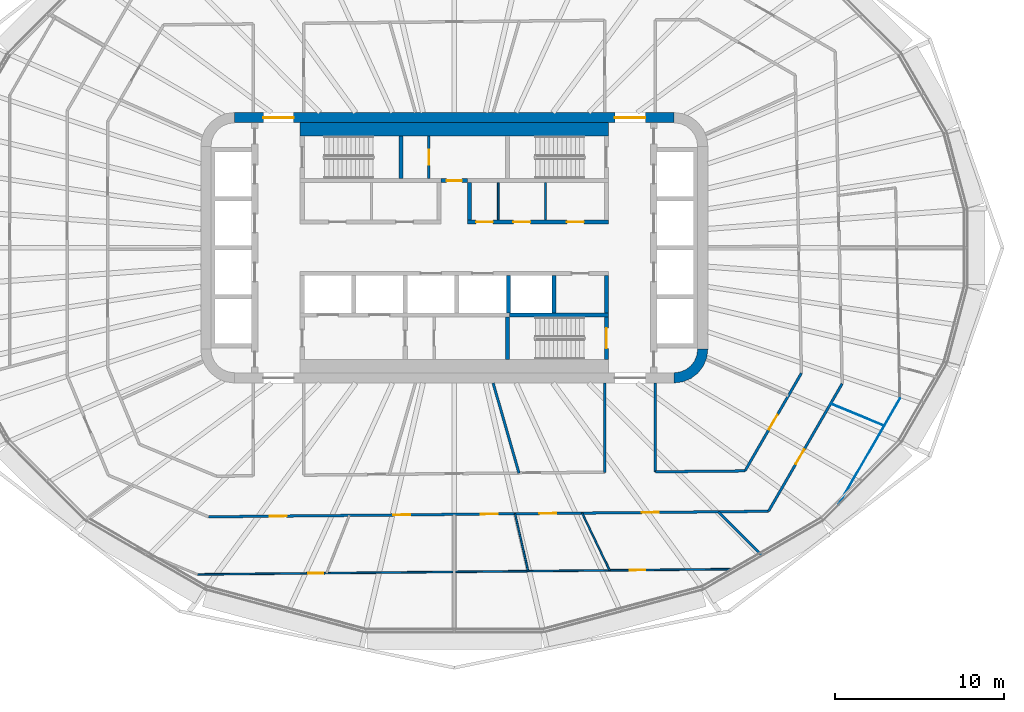
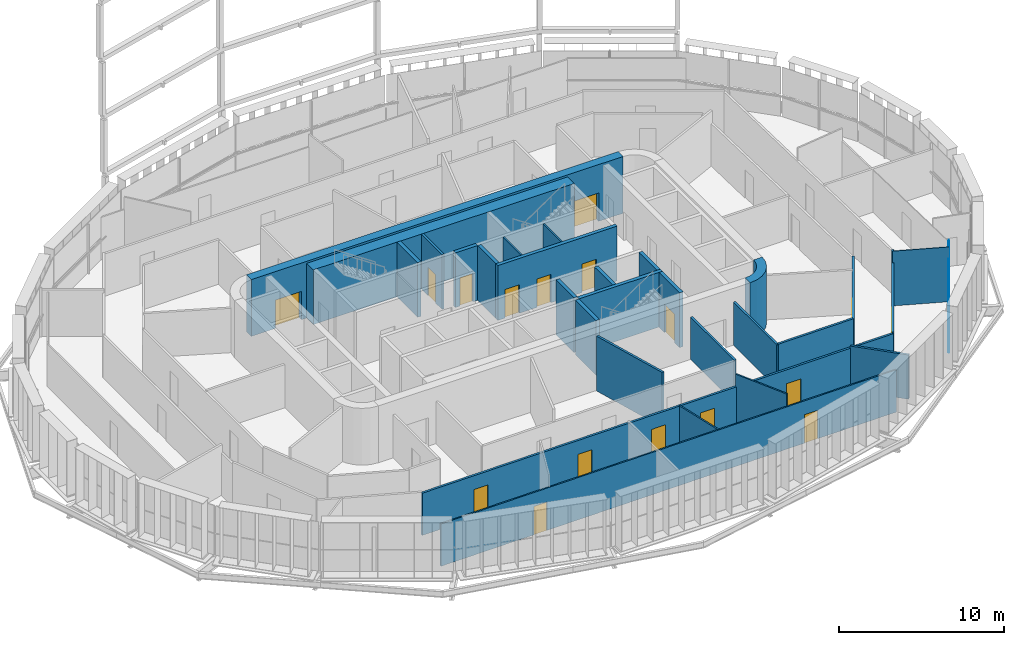
# One storey, part 12 of 22: 29 walls, 17 doors, 17 openings.
"""IFC4 building model written with IfcOpenShell, lengths in metres."""

from ifc_helpers import new_model, si_unit, direction, frame, frame_2d, origin, place, context, subcontext, project, spatial, polyline, rectangle, outline, extrude, material, layer, layer_set, type_object, element, fill, save


model = new_model("IFC4")

# Units and contexts
model_context = context("Model", 3, precision=1e-05, world=origin(), true_north=direction((0.0, 1.0)))
body_context = subcontext(model_context, "Body", "Model", "MODEL_VIEW")
ifc_project = project(units=[si_unit("LENGTHUNIT", "METRE"), si_unit("AREAUNIT", "SQUARE_METRE"), si_unit("VOLUMEUNIT", "CUBIC_METRE"), si_unit("PLANEANGLEUNIT", "RADIAN"), si_unit("MASSUNIT", "GRAM", prefix="KILO")], contexts=[model_context])

# Site, building, storey
site_placement = place(None, origin())
site = spatial("IfcSite", under=ifc_project, at=site_placement, CompositionType="ELEMENT")
building_placement = place(site_placement, origin())
building = spatial("IfcBuilding", under=site, at=building_placement, Name="Sahrelin Media Tower", CompositionType="ELEMENT")
storey_placement = place(building_placement, frame((0.0, 0.0, 50.39990234375)))
storey = spatial("IfcBuildingStorey", under=building, at=storey_placement, Name="L07", CompositionType="ELEMENT", Elevation=50.39990234375)

# Wall, openings, doors
ifc_material_1 = material(Name="Concrete C60/75", Category="concrete")
ifc_layer_1 = layer(ifc_material_1, 0.60009765625)
ifc_layer_set_1 = layer_set([ifc_layer_1], Name="Core wall 600")
wall_type_1 = type_object("IfcWallType", Name="Core wall 600", PredefinedType="SHEAR", material=ifc_layer_set_1)
wall_1_placement = place(storey_placement, frame((-13.0, 7.699951171875, 0.0), z_axis=(0.0, 0.0, 1.0), x_axis=(1.0, 0.0, 0.0)))
wall_1 = element("IfcWall", 1, at=wall_1_placement, inside=storey, type_object=wall_type_1, Name="Core wall N L07", PredefinedType="SHEAR", context=body_context, shape_type="SweptSolid", body=[
    extrude(rectangle(XDim=26.0, YDim=0.60009765625, at=frame_2d((13.0, 0.0))), origin(), (0.0, 0.0, 1.0), 4.2001953125),
])
opening_1_placement = place(wall_1_placement, frame((1.699951171875, 0.0, 0.0)))
opening_1 = element("IfcOpeningElement", 2, at=opening_1_placement, cuts=wall_1, Name="Opening L07-D19", PredefinedType="OPENING", context=body_context, shape_type="SweptSolid", body=[
    extrude(rectangle(XDim=1.800048828125, YDim=2.10009765625, at=frame_2d((0.89990234375, 1.050048828125))), frame((0.0, 0.300048828125, 0.0), z_axis=(0.0, -1.0, 0.0), x_axis=(1.0, 0.0, 0.0)), (0.0, 0.0, 1.0), 0.60009765625),
])
opening_2_placement = place(wall_1_placement, frame((22.5, 0.0, 0.0)))
opening_2 = element("IfcOpeningElement", 3, at=opening_2_placement, cuts=wall_1, Name="Opening L07-D20", PredefinedType="OPENING", context=body_context, shape_type="SweptSolid", body=[
    extrude(rectangle(XDim=1.800048828125, YDim=2.10009765625, at=frame_2d((0.89990234375, 1.050048828125))), frame((0.0, 0.300048828125, 0.0), z_axis=(0.0, -1.0, 0.0), x_axis=(1.0, 0.0, 0.0)), (0.0, 0.0, 1.0), 0.60009765625),
])
ifc_material_2 = material(Name="Steel fire door leaf", Category="steel")
door_type_1 = type_object("IfcDoorType", Name="Lobby double door 1800 x 2100 EI 60", OperationType="DOUBLE_DOOR_SINGLE_SWING", PredefinedType="DOOR", material=ifc_material_2)
door_1_placement = place(opening_1_placement, origin())
door_1 = element("IfcDoor", 4, at=door_1_placement, inside=storey, type_object=door_type_1, Name="Lobby door", OperationType="DOUBLE_DOOR_SINGLE_SWING", OverallHeight=2.10009765625, OverallWidth=1.800048828125, PredefinedType="DOOR", context=body_context, shape_type="SweptSolid", body=[
    extrude(rectangle(XDim=1.800048828125, YDim=2.10009765625, at=frame_2d((0.89990234375, 1.050048828125))), frame((0.0, 0.02490234375, 0.0), z_axis=(0.0, -1.0, 0.0), x_axis=(1.0, 0.0, 0.0)), (0.0, 0.0, 1.0), 0.050048828125),
])
fill(opening_1, door_1)
door_2_placement = place(opening_2_placement, origin())
door_2 = element("IfcDoor", 5, at=door_2_placement, inside=storey, type_object=door_type_1, Name="Lobby door", OperationType="DOUBLE_DOOR_SINGLE_SWING", OverallHeight=2.10009765625, OverallWidth=1.800048828125, PredefinedType="DOOR", context=body_context, shape_type="SweptSolid", body=[
    extrude(rectangle(XDim=1.800048828125, YDim=2.10009765625, at=frame_2d((0.89990234375, 1.050048828125))), frame((0.0, 0.02490234375, 0.0), z_axis=(0.0, -1.0, 0.0), x_axis=(1.0, 0.0, 0.0)), (0.0, 0.0, 1.0), 0.050048828125),
])
fill(opening_2, door_2)

# Wall
wall_2_placement = place(storey_placement, origin())
element("IfcWall", 6, at=wall_2_placement, inside=storey, type_object=wall_type_1, Name="Core wall corner SE L07", PredefinedType="SHEAR", context=body_context, shape_type="SweptSolid", body=[
    extrude(outline(polyline([(15.0, -6.0), (14.394775390625, -6.0), (14.347412109375, -6.361083984375), (14.2080078125, -6.697509765625), (13.986328125, -6.986328125), (13.697509765625, -7.2080078125), (13.361083984375, -7.347412109375), (13.0, -7.394775390625), (13.0, -8.0), (13.517578125, -7.931884765625), (14.0, -7.732177734375), (14.414306640625, -7.414306640625), (14.732177734375, -7.0), (14.931884765625, -6.517578125), (15.0, -6.0)])), origin(), (0.0, 0.0, 1.0), 4.2001953125),
])

# Wall, opening, door
ifc_material_3 = material(Name="Fire-rated gypsum board partition")
ifc_layer_2 = layer(ifc_material_3, 0.25)
ifc_layer_set_2 = layer_set([ifc_layer_2], Name="Fire-rated lobby wall 250")
wall_type_2 = type_object("IfcWallType", Name="Fire-rated lobby wall 250", PredefinedType="PARTITIONING", material=ifc_layer_set_2)
wall_3_placement = place(storey_placement, frame((-0.77490234375, 3.97509765625, 0.0), z_axis=(0.0, 0.0, 1.0), x_axis=(1.0, 0.0, 0.0)))
wall_3 = element("IfcWall", 7, at=wall_3_placement, inside=storey, type_object=wall_type_2, Name="Core lobby wall", PredefinedType="PARTITIONING", context=body_context, shape_type="SweptSolid", body=[
    extrude(rectangle(XDim=1.5498046875, YDim=0.25, at=frame_2d((0.77490234375, 0.0))), origin(), (0.0, 0.0, 1.0), 4.050048828125),
])
opening_3_placement = place(wall_3_placement, frame((0.324951171875, 0.0, 0.0)))
opening_3 = element("IfcOpeningElement", 8, at=opening_3_placement, cuts=wall_3, Name="Opening L07-D06", PredefinedType="OPENING", context=body_context, shape_type="SweptSolid", body=[
    extrude(rectangle(XDim=0.89990234375, YDim=2.10009765625, at=frame_2d((0.449951171875, 1.050048828125))), frame((0.0, 0.125, 0.0), z_axis=(0.0, -1.0, 0.0), x_axis=(1.0, 0.0, 0.0)), (0.0, 0.0, 1.0), 0.25),
])
door_type_2 = type_object("IfcDoorType", Name="Riser door 900 x 2100 EI 120", OperationType="NOTDEFINED", PredefinedType="DOOR", material=ifc_material_2)
door_3_placement = place(opening_3_placement, origin())
door_3 = element("IfcDoor", 9, at=door_3_placement, inside=storey, type_object=door_type_2, Name="Core room door", OperationType="SINGLE_SWING_LEFT", OverallHeight=2.10009765625, OverallWidth=0.89990234375, PredefinedType="DOOR", context=body_context, shape_type="SweptSolid", body=[
    extrude(rectangle(XDim=0.89990234375, YDim=2.10009765625, at=frame_2d((0.449951171875, 1.050048828125))), frame((0.0, 0.02490234375, 0.0), z_axis=(0.0, -1.0, 0.0), x_axis=(1.0, 0.0, 0.0)), (0.0, 0.0, 1.0), 0.050048828125),
])
fill(opening_3, door_3)

# Wall, openings, doors
wall_4_placement = place(storey_placement, frame((0.77490234375, 1.52490234375, 0.0), z_axis=(0.0, 0.0, 1.0), x_axis=(1.0, 0.0, 0.0)))
wall_4 = element("IfcWall", 10, at=wall_4_placement, inside=storey, type_object=wall_type_2, Name="Core lobby wall", PredefinedType="PARTITIONING", context=body_context, shape_type="SweptSolid", body=[
    extrude(rectangle(XDim=8.35009765625, YDim=0.25, at=frame_2d((4.175048828125, 0.0))), origin(), (0.0, 0.0, 1.0), 4.050048828125),
])
opening_4_placement = place(wall_4_placement, frame((0.512451171875, 0.0, 0.0)))
opening_4 = element("IfcOpeningElement", 11, at=opening_4_placement, cuts=wall_4, Name="Opening L07-D11", PredefinedType="OPENING", context=body_context, shape_type="SweptSolid", body=[
    extrude(rectangle(XDim=1.0, YDim=2.10009765625, at=frame_2d((0.5, 1.050048828125))), frame((0.0, 0.125, 0.0), z_axis=(0.0, -1.0, 0.0), x_axis=(1.0, 0.0, 0.0)), (0.0, 0.0, 1.0), 0.25),
])
opening_5_placement = place(wall_4_placement, frame((2.72509765625, 0.0, 0.0)))
opening_5 = element("IfcOpeningElement", 12, at=opening_5_placement, cuts=wall_4, Name="Opening L07-D12", PredefinedType="OPENING", context=body_context, shape_type="SweptSolid", body=[
    extrude(rectangle(XDim=1.0, YDim=2.10009765625, at=frame_2d((0.5, 1.050048828125))), frame((0.0, 0.125, 0.0), z_axis=(0.0, -1.0, 0.0), x_axis=(1.0, 0.0, 0.0)), (0.0, 0.0, 1.0), 0.25),
])
opening_6_placement = place(wall_4_placement, frame((5.887451171875, 0.0, 0.0)))
opening_6 = element("IfcOpeningElement", 13, at=opening_6_placement, cuts=wall_4, Name="Opening L07-D13", PredefinedType="OPENING", context=body_context, shape_type="SweptSolid", body=[
    extrude(rectangle(XDim=1.0, YDim=2.10009765625, at=frame_2d((0.5, 1.050048828125))), frame((0.0, 0.125, 0.0), z_axis=(0.0, -1.0, 0.0), x_axis=(1.0, 0.0, 0.0)), (0.0, 0.0, 1.0), 0.25),
])
door_type_3 = type_object("IfcDoorType", Name="Fire door 1000 x 2100 EI 60", OperationType="NOTDEFINED", PredefinedType="DOOR", material=ifc_material_2)
door_4_placement = place(opening_4_placement, origin())
door_4 = element("IfcDoor", 14, at=door_4_placement, inside=storey, type_object=door_type_3, Name="Core room door", OperationType="SINGLE_SWING_LEFT", OverallHeight=2.10009765625, OverallWidth=1.0, PredefinedType="DOOR", context=body_context, shape_type="SweptSolid", body=[
    extrude(rectangle(XDim=1.0, YDim=2.10009765625, at=frame_2d((0.5, 1.050048828125))), frame((0.0, 0.02490234375, 0.0), z_axis=(0.0, -1.0, 0.0), x_axis=(1.0, 0.0, 0.0)), (0.0, 0.0, 1.0), 0.050048828125),
])
fill(opening_4, door_4)
door_5_placement = place(opening_5_placement, origin())
door_5 = element("IfcDoor", 15, at=door_5_placement, inside=storey, type_object=door_type_3, Name="Core room door", OperationType="SINGLE_SWING_LEFT", OverallHeight=2.10009765625, OverallWidth=1.0, PredefinedType="DOOR", context=body_context, shape_type="SweptSolid", body=[
    extrude(rectangle(XDim=1.0, YDim=2.10009765625, at=frame_2d((0.5, 1.050048828125))), frame((0.0, 0.02490234375, 0.0), z_axis=(0.0, -1.0, 0.0), x_axis=(1.0, 0.0, 0.0)), (0.0, 0.0, 1.0), 0.050048828125),
])
fill(opening_5, door_5)
door_6_placement = place(opening_6_placement, origin())
door_6 = element("IfcDoor", 16, at=door_6_placement, inside=storey, type_object=door_type_3, Name="Core room door", OperationType="SINGLE_SWING_LEFT", OverallHeight=2.10009765625, OverallWidth=1.0, PredefinedType="DOOR", context=body_context, shape_type="SweptSolid", body=[
    extrude(rectangle(XDim=1.0, YDim=2.10009765625, at=frame_2d((0.5, 1.050048828125))), frame((0.0, 0.02490234375, 0.0), z_axis=(0.0, -1.0, 0.0), x_axis=(1.0, 0.0, 0.0)), (0.0, 0.0, 1.0), 0.050048828125),
])
fill(opening_6, door_6)

# Walls
wall_5_placement = place(storey_placement, frame((0.89990234375, 1.64990234375, 0.0), z_axis=(0.0, 0.0, 1.0), x_axis=(0.0, 1.0, 0.0)))
element("IfcWall", 17, at=wall_5_placement, inside=storey, type_object=wall_type_2, Name="Core lobby wall", PredefinedType="PARTITIONING", context=body_context, shape_type="SweptSolid", body=[
    extrude(rectangle(XDim=2.2001953125, YDim=0.25, at=frame_2d((1.10009765625, 0.0))), origin(), (0.0, 0.0, 1.0), 4.050048828125),
])
ifc_layer_3 = layer(ifc_material_3, 0.10009765625)
ifc_layer_set_3 = layer_set([ifc_layer_3], Name="Fire-rated partition 100")
wall_type_3 = type_object("IfcWallType", Name="Fire-rated partition 100", PredefinedType="PARTITIONING", material=ifc_layer_set_3)
for number, where, z_axis, x_axis, name in (
    (18, (2.60009765625, 1.64990234375, 0.0), (0.0, 0.0, 1.0), (0.0, 1.0, 0.0), "Core room partition"),
    (19, (5.39990234375, 1.64990234375, 0.0), (0.0, 0.0, 1.0), (0.0, 1.0, 0.0), "Core room partition"),
):
    element("IfcWall", number, at=place(storey_placement, frame(where, z_axis=z_axis, x_axis=x_axis)), inside=storey, type_object=wall_type_3, Name=name, PredefinedType="PARTITIONING", context=body_context, shape_type="SweptSolid", body=[
        extrude(rectangle(XDim=2.2001953125, YDim=0.10009765625, at=frame_2d((1.10009765625, 0.0))), origin(), (0.0, 0.0, 1.0), 4.050048828125),
    ])

# Wall, opening, door
ifc_layer_4 = layer(ifc_material_3, 0.14990234375)
ifc_layer_set_4 = layer_set([ifc_layer_4], Name="Fire-rated partition 150")
wall_type_4 = type_object("IfcWallType", Name="Fire-rated partition 150", PredefinedType="PARTITIONING", material=ifc_layer_set_4)
wall_6_placement = place(storey_placement, frame((-1.5, 4.10009765625, 0.0), z_axis=(0.0, 0.0, 1.0), x_axis=(0.0, 1.0, 0.0)))
wall_6 = element("IfcWall", 20, at=wall_6_placement, inside=storey, type_object=wall_type_4, Name="Core room fire partition", PredefinedType="PARTITIONING", context=body_context, shape_type="SweptSolid", body=[
    extrude(rectangle(XDim=2.5, YDim=0.14990234375, at=frame_2d((1.25, 0.0))), origin(), (0.0, 0.0, 1.0), 4.050048828125),
])
opening_7_placement = place(wall_6_placement, frame((0.800048828125, 0.0, 0.0)))
opening_7 = element("IfcOpeningElement", 21, at=opening_7_placement, cuts=wall_6, Name="Opening L07-D07", PredefinedType="OPENING", context=body_context, shape_type="SweptSolid", body=[
    extrude(rectangle(XDim=0.89990234375, YDim=2.10009765625, at=frame_2d((0.449951171875, 1.050048828125))), frame((0.0, 0.074951171875, 0.0), z_axis=(0.0, -1.0, 0.0), x_axis=(1.0, 0.0, 0.0)), (0.0, 0.0, 1.0), 0.14990234375),
])
door_type_4 = type_object("IfcDoorType", Name="Fire door 900 x 2100 EI 60", OperationType="NOTDEFINED", PredefinedType="DOOR", material=ifc_material_2)
door_7_placement = place(opening_7_placement, origin())
door_7 = element("IfcDoor", 22, at=door_7_placement, inside=storey, type_object=door_type_4, Name="Core room door", OperationType="SINGLE_SWING_LEFT", OverallHeight=2.10009765625, OverallWidth=0.89990234375, PredefinedType="DOOR", context=body_context, shape_type="SweptSolid", body=[
    extrude(rectangle(XDim=0.89990234375, YDim=2.10009765625, at=frame_2d((0.449951171875, 1.050048828125))), frame((0.0, 0.02490234375, 0.0), z_axis=(0.0, -1.0, 0.0), x_axis=(1.0, 0.0, 0.0)), (0.0, 0.0, 1.0), 0.050048828125),
])
fill(opening_7, door_7)

# Walls
wall_7_placement = place(storey_placement, frame((2.2958984375, -8.0, 0.0), z_axis=(0.0, 0.0, 1.0), x_axis=(0.275935525478, -0.961176147113, 0.0)))
element("IfcWall", 23, at=wall_7_placement, inside=storey, type_object=wall_type_4, Name="Wall", PredefinedType="PARTITIONING", context=body_context, shape_type="SweptSolid", body=[
    extrude(rectangle(XDim=5.54833984375, YDim=0.14990234375, at=frame_2d((2.774169921875, 0.0))), origin(), (0.0, 0.0, 1.0), 4.050048828125),
])
wall_8_placement = place(storey_placement, frame((15.616943359375, -15.616943359375, 0.0), z_axis=(0.0, 0.0, 1.0), x_axis=(0.707106781187, -0.707106781187, 0.0)))
element("IfcWall", 24, at=wall_8_placement, inside=storey, type_object=wall_type_4, Name="Wall", PredefinedType="PARTITIONING", context=body_context, shape_type="SweptSolid", body=[
    extrude(rectangle(XDim=3.6669921875, YDim=0.14990234375, at=frame_2d((1.83349609375, 0.0))), origin(), (0.0, 0.0, 1.0), 3.276123046875),
])

# Wall, openings, doors
wall_9_placement = place(storey_placement, frame((-14.533935546875, -15.916015625, 0.0), z_axis=(0.0, 0.0, 1.0), x_axis=(0.99995085722, 0.009913785652, 0.0)))
wall_9 = element("IfcWall", 25, at=wall_9_placement, inside=storey, type_object=wall_type_4, Name="Wall", PredefinedType="PARTITIONING", context=body_context, shape_type="SweptSolid", body=[
    extrude(rectangle(XDim=33.12255859375, YDim=0.14990234375, at=frame_2d((16.561279296875, 0.0))), origin(), (0.0, 0.0, 1.0), 3.127197265625),
])
opening_8_placement = place(wall_9_placement, frame((3.61083984375, 0.0, 0.0)))
opening_8 = element("IfcOpeningElement", 26, at=opening_8_placement, cuts=wall_9, Name="Opening L07-D49", PredefinedType="OPENING", context=body_context, shape_type="SweptSolid", body=[
    extrude(rectangle(XDim=1.0, YDim=2.10009765625, at=frame_2d((0.5, 1.050048828125))), frame((0.0, 0.074951171875, 0.0), z_axis=(0.0, -1.0, 0.0), x_axis=(1.0, 0.0, 0.0)), (0.0, 0.0, 1.0), 0.14990234375),
])
opening_9_placement = place(wall_9_placement, frame((10.926513671875, 0.0, 0.0)))
opening_9 = element("IfcOpeningElement", 27, at=opening_9_placement, cuts=wall_9, Name="Opening L07-D50", PredefinedType="OPENING", context=body_context, shape_type="SweptSolid", body=[
    extrude(rectangle(XDim=1.0, YDim=2.10009765625, at=frame_2d((0.5, 1.050048828125))), frame((0.0, 0.074951171875, 0.0), z_axis=(0.0, -1.0, 0.0), x_axis=(1.0, 0.0, 0.0)), (0.0, 0.0, 1.0), 0.14990234375),
])
opening_10_placement = place(wall_9_placement, frame((16.1103515625, 0.0, 0.0)))
opening_10 = element("IfcOpeningElement", 28, at=opening_10_placement, cuts=wall_9, Name="Opening L07-D52", PredefinedType="OPENING", context=body_context, shape_type="SweptSolid", body=[
    extrude(rectangle(XDim=1.0, YDim=2.10009765625, at=frame_2d((0.5, 1.050048828125))), frame((0.0, 0.074951171875, 0.0), z_axis=(0.0, -1.0, 0.0), x_axis=(1.0, 0.0, 0.0)), (0.0, 0.0, 1.0), 0.14990234375),
])
opening_11_placement = place(wall_9_placement, frame((19.559814453125, 0.0, 0.0)))
opening_11 = element("IfcOpeningElement", 29, at=opening_11_placement, cuts=wall_9, Name="Opening L07-D53", PredefinedType="OPENING", context=body_context, shape_type="SweptSolid", body=[
    extrude(rectangle(XDim=1.0, YDim=2.10009765625, at=frame_2d((0.5, 1.050048828125))), frame((0.0, 0.074951171875, 0.0), z_axis=(0.0, -1.0, 0.0), x_axis=(1.0, 0.0, 0.0)), (0.0, 0.0, 1.0), 0.14990234375),
])
opening_12_placement = place(wall_9_placement, frame((25.623046875, 0.0, 0.0)))
opening_12 = element("IfcOpeningElement", 30, at=opening_12_placement, cuts=wall_9, Name="Opening L07-D54", PredefinedType="OPENING", context=body_context, shape_type="SweptSolid", body=[
    extrude(rectangle(XDim=1.0, YDim=2.10009765625, at=frame_2d((0.5, 1.050048828125))), frame((0.0, 0.074951171875, 0.0), z_axis=(0.0, -1.0, 0.0), x_axis=(1.0, 0.0, 0.0)), (0.0, 0.0, 1.0), 0.14990234375),
])
door_8_placement = place(opening_8_placement, origin())
door_8 = element("IfcDoor", 31, at=door_8_placement, inside=storey, type_object=door_type_3, Name="Fire door", OperationType="SINGLE_SWING_LEFT", OverallHeight=2.10009765625, OverallWidth=1.0, PredefinedType="DOOR", context=body_context, shape_type="SweptSolid", body=[
    extrude(rectangle(XDim=1.0, YDim=2.10009765625, at=frame_2d((0.5, 1.050048828125))), frame((0.0, 0.02490234375, 0.0), z_axis=(0.0, -1.0, 0.0), x_axis=(1.0, 0.0, 0.0)), (0.0, 0.0, 1.0), 0.050048828125),
])
fill(opening_8, door_8)
door_9_placement = place(opening_9_placement, origin())
door_9 = element("IfcDoor", 32, at=door_9_placement, inside=storey, type_object=door_type_3, Name="Fire door", OperationType="SINGLE_SWING_RIGHT", OverallHeight=2.10009765625, OverallWidth=1.0, PredefinedType="DOOR", context=body_context, shape_type="SweptSolid", body=[
    extrude(rectangle(XDim=1.0, YDim=2.10009765625, at=frame_2d((0.5, 1.050048828125))), frame((0.0, 0.02490234375, 0.0), z_axis=(0.0, -1.0, 0.0), x_axis=(1.0, 0.0, 0.0)), (0.0, 0.0, 1.0), 0.050048828125),
])
fill(opening_9, door_9)
door_10_placement = place(opening_10_placement, origin())
door_10 = element("IfcDoor", 33, at=door_10_placement, inside=storey, type_object=door_type_3, Name="Fire door", OperationType="SINGLE_SWING_LEFT", OverallHeight=2.10009765625, OverallWidth=1.0, PredefinedType="DOOR", context=body_context, shape_type="SweptSolid", body=[
    extrude(rectangle(XDim=1.0, YDim=2.10009765625, at=frame_2d((0.5, 1.050048828125))), frame((0.0, 0.02490234375, 0.0), z_axis=(0.0, -1.0, 0.0), x_axis=(1.0, 0.0, 0.0)), (0.0, 0.0, 1.0), 0.050048828125),
])
fill(opening_10, door_10)
door_11_placement = place(opening_11_placement, origin())
door_11 = element("IfcDoor", 34, at=door_11_placement, inside=storey, type_object=door_type_3, Name="Fire door", OperationType="SINGLE_SWING_LEFT", OverallHeight=2.10009765625, OverallWidth=1.0, PredefinedType="DOOR", context=body_context, shape_type="SweptSolid", body=[
    extrude(rectangle(XDim=1.0, YDim=2.10009765625, at=frame_2d((0.5, 1.050048828125))), frame((0.0, 0.02490234375, 0.0), z_axis=(0.0, -1.0, 0.0), x_axis=(1.0, 0.0, 0.0)), (0.0, 0.0, 1.0), 0.050048828125),
])
fill(opening_11, door_11)
door_12_placement = place(opening_12_placement, origin())
door_12 = element("IfcDoor", 35, at=door_12_placement, inside=storey, type_object=door_type_3, Name="Fire door", OperationType="SINGLE_SWING_RIGHT", OverallHeight=2.10009765625, OverallWidth=1.0, PredefinedType="DOOR", context=body_context, shape_type="SweptSolid", body=[
    extrude(rectangle(XDim=1.0, YDim=2.10009765625, at=frame_2d((0.5, 1.050048828125))), frame((0.0, 0.02490234375, 0.0), z_axis=(0.0, -1.0, 0.0), x_axis=(1.0, 0.0, 0.0)), (0.0, 0.0, 1.0), 0.050048828125),
])
fill(opening_12, door_12)

# Wall
wall_10_placement = place(storey_placement, frame((11.89990234375, -13.2529296875, 0.0), z_axis=(0.0, 0.0, 1.0), x_axis=(0.999950853109, 0.009914200296, 0.0)))
element("IfcWall", 36, at=wall_10_placement, inside=storey, type_object=wall_type_4, Name="Wall", PredefinedType="PARTITIONING", context=body_context, shape_type="SweptSolid", body=[
    extrude(rectangle(XDim=5.29443359375, YDim=0.14990234375, at=frame_2d((2.647216796875, 0.0))), origin(), (0.0, 0.0, 1.0), 3.276123046875),
])

# Wall, opening, door
wall_11_placement = place(storey_placement, frame((18.5869140625, -15.5869140625, 0.0), z_axis=(0.0, 0.0, 1.0), x_axis=(0.500026433136, 0.866010142069, 0.0)))
wall_11 = element("IfcWall", 37, at=wall_11_placement, inside=storey, type_object=wall_type_4, Name="Wall", PredefinedType="PARTITIONING", context=body_context, shape_type="SweptSolid", body=[
    extrude(rectangle(XDim=8.71337890625, YDim=0.14990234375, at=frame_2d((4.356689453125, 0.0))), origin(), (0.0, 0.0, 1.0), 3.1953125),
])
opening_13_placement = place(wall_11_placement, frame((3.22607421875, 0.0, 0.0)))
opening_13 = element("IfcOpeningElement", 38, at=opening_13_placement, cuts=wall_11, Name="Opening L07-D56", PredefinedType="OPENING", context=body_context, shape_type="SweptSolid", body=[
    extrude(rectangle(XDim=1.0, YDim=2.10009765625, at=frame_2d((0.5, 1.050048828125))), frame((0.0, 0.074951171875, 0.0), z_axis=(0.0, -1.0, 0.0), x_axis=(1.0, 0.0, 0.0)), (0.0, 0.0, 1.0), 0.14990234375),
])
door_13_placement = place(opening_13_placement, origin())
door_13 = element("IfcDoor", 39, at=door_13_placement, inside=storey, type_object=door_type_3, Name="Fire door", OperationType="SINGLE_SWING_RIGHT", OverallHeight=2.10009765625, OverallWidth=1.0, PredefinedType="DOOR", context=body_context, shape_type="SweptSolid", body=[
    extrude(rectangle(XDim=1.0, YDim=2.10009765625, at=frame_2d((0.5, 1.050048828125))), frame((0.0, 0.02490234375, 0.0), z_axis=(0.0, -1.0, 0.0), x_axis=(1.0, 0.0, 0.0)), (0.0, 0.0, 1.0), 0.050048828125),
])
fill(opening_13, door_13)

wall_12_placement = place(storey_placement, frame((17.194091796875, -13.200927734375, 0.0), z_axis=(0.0, 0.0, 1.0), x_axis=(0.50001062018, 0.866019272134, 0.0)))
wall_12 = element("IfcWall", 40, at=wall_12_placement, inside=storey, type_object=wall_type_4, Name="Wall", PredefinedType="PARTITIONING", context=body_context, shape_type="SweptSolid", body=[
    extrude(rectangle(XDim=6.673583984375, YDim=0.14990234375, at=frame_2d((3.3369140625, 0.0))), origin(), (0.0, 0.0, 1.0), 3.1953125),
])
opening_14_placement = place(wall_12_placement, frame((2.83349609375, 0.0, 0.0)))
opening_14 = element("IfcOpeningElement", 41, at=opening_14_placement, cuts=wall_12, Name="Opening L07-D26", PredefinedType="OPENING", context=body_context, shape_type="SweptSolid", body=[
    extrude(rectangle(XDim=1.0, YDim=2.10009765625, at=frame_2d((0.5, 1.050048828125))), frame((0.0, 0.074951171875, 0.0), z_axis=(0.0, -1.0, 0.0), x_axis=(1.0, 0.0, 0.0)), (0.0, 0.0, 1.0), 0.14990234375),
])
door_14_placement = place(opening_14_placement, origin())
door_14 = element("IfcDoor", 42, at=door_14_placement, inside=storey, type_object=door_type_3, Name="Fire door", OperationType="SINGLE_SWING_RIGHT", OverallHeight=2.10009765625, OverallWidth=1.0, PredefinedType="DOOR", context=body_context, shape_type="SweptSolid", body=[
    extrude(rectangle(XDim=1.0, YDim=2.10009765625, at=frame_2d((0.5, 1.050048828125))), frame((0.0, 0.02490234375, 0.0), z_axis=(0.0, -1.0, 0.0), x_axis=(1.0, 0.0, 0.0)), (0.0, 0.0, 1.0), 0.050048828125),
])
fill(opening_14, door_14)

# Walls
wall_13_placement = place(storey_placement, frame((11.89990234375, -13.2529296875, 0.0), z_axis=(0.0, 0.0, 1.0), x_axis=(0.0, 1.0, 0.0)))
element("IfcWall", 43, at=wall_13_placement, inside=storey, type_object=wall_type_4, Name="Wall", PredefinedType="PARTITIONING", context=body_context, shape_type="SweptSolid", body=[
    extrude(rectangle(XDim=5.2529296875, YDim=0.14990234375, at=frame_2d((2.62646484375, 0.0))), origin(), (0.0, 0.0, 1.0), 3.1953125),
])
wall_14_placement = place(storey_placement, frame((8.89990234375, -13.282958984375, 0.0), z_axis=(0.0, 0.0, 1.0), x_axis=(0.0, 1.0, 0.0)))
element("IfcWall", 44, at=wall_14_placement, inside=storey, type_object=wall_type_4, Name="Wall", PredefinedType="PARTITIONING", context=body_context, shape_type="SweptSolid", body=[
    extrude(rectangle(XDim=5.282958984375, YDim=0.14990234375, at=frame_2d((2.6416015625, 0.0))), origin(), (0.0, 0.0, 1.0), 3.127197265625),
])
ifc_material_4 = material(Name="Clear glass", Category="glass")
ifc_layer_5 = layer(ifc_material_4, 0.050048828125)
ifc_layer_set_5 = layer_set([ifc_layer_5], Name="Glazed partition 50")
wall_type_5 = type_object("IfcWallType", Name="Glazed partition 50", PredefinedType="PARTITIONING", material=ifc_layer_set_5)
wall_15_placement = place(storey_placement, frame((22.262939453125, -9.220947265625, 0.0), z_axis=(0.0, 0.0, 1.0), x_axis=(0.923799852488, -0.382875740342, 0.0)))
element("IfcWall", 45, at=wall_15_placement, inside=storey, type_object=wall_type_5, Name="Wall", PredefinedType="PARTITIONING", context=body_context, shape_type="SweptSolid", body=[
    extrude(rectangle(XDim=3.42919921875, YDim=0.050048828125, at=frame_2d((1.714599609375, 0.0))), origin(), (0.0, 0.0, 1.0), 4.050048828125),
])
wall_16_placement = place(storey_placement, frame((22.72509765625, -15.219970703125, 0.0), z_axis=(0.0, 0.0, 1.0), x_axis=(0.49993933643, 0.86606042508, 0.0)))
element("IfcWall", 46, at=wall_16_placement, inside=storey, type_object=wall_type_5, Name="Wall", PredefinedType="PARTITIONING", context=body_context, shape_type="SweptSolid", body=[
    extrude(rectangle(XDim=7.27587890625, YDim=0.050048828125, at=frame_2d((3.637939453125, 0.0))), origin(), (0.0, 0.0, 1.0), 3.276123046875),
])
ifc_layer_6 = layer(ifc_material_1, 0.25)
ifc_layer_set_6 = layer_set([ifc_layer_6], Name="Lift shaft wall 250")
wall_type_6 = type_object("IfcWallType", Name="Lift shaft wall 250", PredefinedType="SOLIDWALL", material=ifc_layer_set_6)
wall_17_placement = place(storey_placement, frame((3.27490234375, -3.97509765625, 0.0), z_axis=(0.0, 0.0, 1.0), x_axis=(1.0, 0.0, 0.0)))
element("IfcWall", 47, at=wall_17_placement, inside=storey, type_object=wall_type_6, Name="Lift shaft wall", PredefinedType="SOLIDWALL", context=body_context, shape_type="SweptSolid", body=[
    extrude(rectangle(XDim=5.85009765625, YDim=0.25, at=frame_2d((2.925048828125, 0.0))), origin(), (0.0, 0.0, 1.0), 4.050048828125),
])
for number, where, z_axis, x_axis, name in (
    (48, (3.199951171875, -3.85009765625, 0.0), (0.0, 0.0, 1.0), (0.0, 1.0, 0.0), "Lift shaft wall"),
    (49, (5.89990234375, -3.85009765625, 0.0), (0.0, 0.0, 1.0), (0.0, 1.0, 0.0), "Lift shaft wall"),
    (50, (9.0, -3.85009765625, 0.0), (0.0, 0.0, 1.0), (0.0, 1.0, 0.0), "Lift shaft wall"),
):
    element("IfcWall", number, at=place(storey_placement, frame(where, z_axis=z_axis, x_axis=x_axis)), inside=storey, type_object=wall_type_6, Name=name, PredefinedType="SOLIDWALL", context=body_context, shape_type="SweptSolid", body=[
        extrude(rectangle(XDim=2.2001953125, YDim=0.25, at=frame_2d((1.10009765625, 0.0))), origin(), (0.0, 0.0, 1.0), 4.050048828125),
    ])
ifc_material_5 = material(Name="Gypsum board partition")
ifc_layer_7 = layer(ifc_material_5, 0.10009765625)
ifc_layer_set_7 = layer_set([ifc_layer_7], Name="Partition 100")
wall_type_7 = type_object("IfcWallType", Name="Partition 100", PredefinedType="PARTITIONING", material=ifc_layer_set_7)
wall_18_placement = place(storey_placement, frame((3.592041015625, -15.736083984375, 0.0), z_axis=(0.0, 0.0, 1.0), x_axis=(0.22239426517, -0.974956814848, 0.0)))
element("IfcWall", 51, at=wall_18_placement, inside=storey, type_object=wall_type_7, Name="Wall", PredefinedType="PARTITIONING", context=body_context, shape_type="SweptSolid", body=[
    extrude(rectangle(XDim=3.47998046875, YDim=0.10009765625, at=frame_2d((1.739990234375, 0.0))), origin(), (0.0, 0.0, 1.0), 3.127197265625),
])
wall_19_placement = place(storey_placement, frame((7.55908203125, -15.697021484375, 0.0), z_axis=(0.0, 0.0, 1.0), x_axis=(0.433930919044, -0.900946145726, 0.0)))
element("IfcWall", 52, at=wall_19_placement, inside=storey, type_object=wall_type_7, Name="Wall", PredefinedType="PARTITIONING", context=body_context, shape_type="SweptSolid", body=[
    extrude(rectangle(XDim=3.756103515625, YDim=0.10009765625, at=frame_2d((1.8779296875, 0.0))), origin(), (0.0, 0.0, 1.0), 4.050048828125),
])

# Wall, openings, doors
wall_20_placement = place(storey_placement, frame((-15.194091796875, -19.322998046875, 0.0), z_axis=(0.0, 0.0, 1.0), x_axis=(0.999951203002, 0.009878846795, 0.0)))
wall_20 = element("IfcWall", 53, at=wall_20_placement, inside=storey, type_object=wall_type_7, Name="Wall", PredefinedType="PARTITIONING", context=body_context, shape_type="SweptSolid", body=[
    extrude(rectangle(XDim=32.028564453125, YDim=0.10009765625, at=frame_2d((16.01416015625, 0.0))), origin(), (0.0, 0.0, 1.0), 3.127197265625),
])
opening_15_placement = place(wall_20_placement, frame((6.541748046875, 0.0, 0.0)))
opening_15 = element("IfcOpeningElement", 54, at=opening_15_placement, cuts=wall_20, Name="Opening L07-D51", PredefinedType="OPENING", context=body_context, shape_type="SweptSolid", body=[
    extrude(rectangle(XDim=0.89990234375, YDim=2.10009765625, at=frame_2d((0.449951171875, 1.050048828125))), frame((0.0, 0.050048828125, 0.0), z_axis=(0.0, -1.0, 0.0), x_axis=(1.0, 0.0, 0.0)), (0.0, 0.0, 1.0), 0.10009765625),
])
opening_16_placement = place(wall_20_placement, frame((25.587890625, 0.0, 0.0)))
opening_16 = element("IfcOpeningElement", 55, at=opening_16_placement, cuts=wall_20, Name="Opening L07-D55", PredefinedType="OPENING", context=body_context, shape_type="SweptSolid", body=[
    extrude(rectangle(XDim=0.89990234375, YDim=2.10009765625, at=frame_2d((0.449951171875, 1.050048828125))), frame((0.0, 0.050048828125, 0.0), z_axis=(0.0, -1.0, 0.0), x_axis=(1.0, 0.0, 0.0)), (0.0, 0.0, 1.0), 0.10009765625),
])
ifc_material_6 = material(Name="Timber door leaf", Category="wood")
door_type_5 = type_object("IfcDoorType", Name="Single door 900 x 2100", OperationType="NOTDEFINED", PredefinedType="DOOR", material=ifc_material_6)
door_15_placement = place(opening_15_placement, origin())
door_15 = element("IfcDoor", 56, at=door_15_placement, inside=storey, type_object=door_type_5, Name="Single door", OperationType="SINGLE_SWING_RIGHT", OverallHeight=2.10009765625, OverallWidth=0.89990234375, PredefinedType="DOOR", context=body_context, shape_type="SweptSolid", body=[
    extrude(rectangle(XDim=0.89990234375, YDim=2.10009765625, at=frame_2d((0.449951171875, 1.050048828125))), frame((0.0, 0.02490234375, 0.0), z_axis=(0.0, -1.0, 0.0), x_axis=(1.0, 0.0, 0.0)), (0.0, 0.0, 1.0), 0.050048828125),
])
fill(opening_15, door_15)
door_16_placement = place(opening_16_placement, origin())
door_16 = element("IfcDoor", 57, at=door_16_placement, inside=storey, type_object=door_type_5, Name="Single door", OperationType="SINGLE_SWING_RIGHT", OverallHeight=2.10009765625, OverallWidth=0.89990234375, PredefinedType="DOOR", context=body_context, shape_type="SweptSolid", body=[
    extrude(rectangle(XDim=0.89990234375, YDim=2.10009765625, at=frame_2d((0.449951171875, 1.050048828125))), frame((0.0, 0.02490234375, 0.0), z_axis=(0.0, -1.0, 0.0), x_axis=(1.0, 0.0, 0.0)), (0.0, 0.0, 1.0), 0.050048828125),
])
fill(opening_16, door_16)

# Wall, opening, door
ifc_layer_8 = layer(ifc_material_1, 0.25)
ifc_layer_set_8 = layer_set([ifc_layer_8], Name="Stair enclosure wall 250")
wall_type_8 = type_object("IfcWallType", Name="Stair enclosure wall 250", PredefinedType="SOLIDWALL", material=ifc_layer_set_8)
wall_21_placement = place(storey_placement, frame((9.0, -6.60009765625, 0.0), z_axis=(0.0, 0.0, 1.0), x_axis=(0.0, 1.0, 0.0)))
wall_21 = element("IfcWall", 58, at=wall_21_placement, inside=storey, type_object=wall_type_8, Name="Stair enclosure wall", PredefinedType="SOLIDWALL", context=body_context, shape_type="SweptSolid", body=[
    extrude(rectangle(XDim=2.5, YDim=0.25, at=frame_2d((1.25, 0.0))), origin(), (0.0, 0.0, 1.0), 4.050048828125),
])
opening_17_placement = place(wall_21_placement, frame((0.64990234375, 0.0, 0.0)))
opening_17 = element("IfcOpeningElement", 59, at=opening_17_placement, cuts=wall_21, Name="Opening L07-D03", PredefinedType="OPENING", context=body_context, shape_type="SweptSolid", body=[
    extrude(rectangle(XDim=1.199951171875, YDim=2.10009765625, at=frame_2d((0.60009765625, 1.050048828125))), frame((0.0, 0.125, 0.0), z_axis=(0.0, -1.0, 0.0), x_axis=(1.0, 0.0, 0.0)), (0.0, 0.0, 1.0), 0.25),
])
door_type_6 = type_object("IfcDoorType", Name="Stair door 1200 x 2100 EI 120", OperationType="NOTDEFINED", PredefinedType="DOOR", material=ifc_material_2)
door_17_placement = place(opening_17_placement, origin())
door_17 = element("IfcDoor", 60, at=door_17_placement, inside=storey, type_object=door_type_6, Name="Stair door ST2", OperationType="SINGLE_SWING_LEFT", OverallHeight=2.10009765625, OverallWidth=1.199951171875, PredefinedType="DOOR", context=body_context, shape_type="SweptSolid", body=[
    extrude(rectangle(XDim=1.199951171875, YDim=2.10009765625, at=frame_2d((0.60009765625, 1.050048828125))), frame((0.0, 0.02490234375, 0.0), z_axis=(0.0, -1.0, 0.0), x_axis=(1.0, 0.0, 0.0)), (0.0, 0.0, 1.0), 0.050048828125),
])
fill(opening_17, door_17)

# Walls
for number, where, z_axis, x_axis, name in (
    (61, (-3.14990234375, 4.10009765625, 0.0), (0.0, 0.0, 1.0), (0.0, 1.0, 0.0), "Stair enclosure wall"),
    (62, (3.14990234375, -6.60009765625, 0.0), (0.0, 0.0, 1.0), (0.0, 1.0, 0.0), "Stair enclosure wall"),
):
    element("IfcWall", number, at=place(storey_placement, frame(where, z_axis=z_axis, x_axis=x_axis)), inside=storey, type_object=wall_type_8, Name=name, PredefinedType="SOLIDWALL", context=body_context, shape_type="SweptSolid", body=[
        extrude(rectangle(XDim=2.5, YDim=0.25, at=frame_2d((1.25, 0.0))), origin(), (0.0, 0.0, 1.0), 4.050048828125),
    ])
ifc_layer_9 = layer(ifc_material_1, 0.800048828125)
ifc_layer_set_9 = layer_set([ifc_layer_9], Name="Stair enclosure wall 800")
wall_type_9 = type_object("IfcWallType", Name="Stair enclosure wall 800", PredefinedType="SOLIDWALL", material=ifc_layer_set_9)
wall_22_placement = place(storey_placement, frame((-9.125, 7.0, 0.0), z_axis=(0.0, 0.0, 1.0), x_axis=(1.0, 0.0, 0.0)))
element("IfcWall", 63, at=wall_22_placement, inside=storey, type_object=wall_type_9, Name="Stair enclosure wall", PredefinedType="SOLIDWALL", context=body_context, shape_type="SweptSolid", body=[
    extrude(rectangle(XDim=18.25, YDim=0.800048828125, at=frame_2d((9.125, 0.0))), origin(), (0.0, 0.0, 1.0), 4.050048828125),
])

save(model, "model.ifc")
